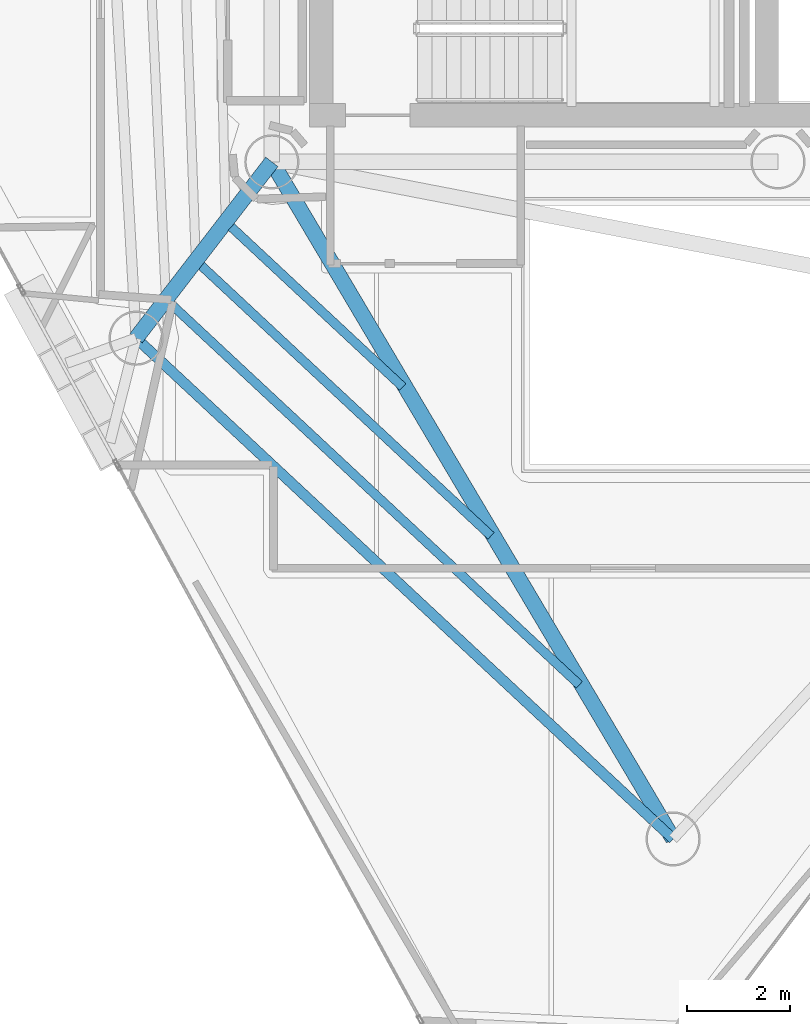
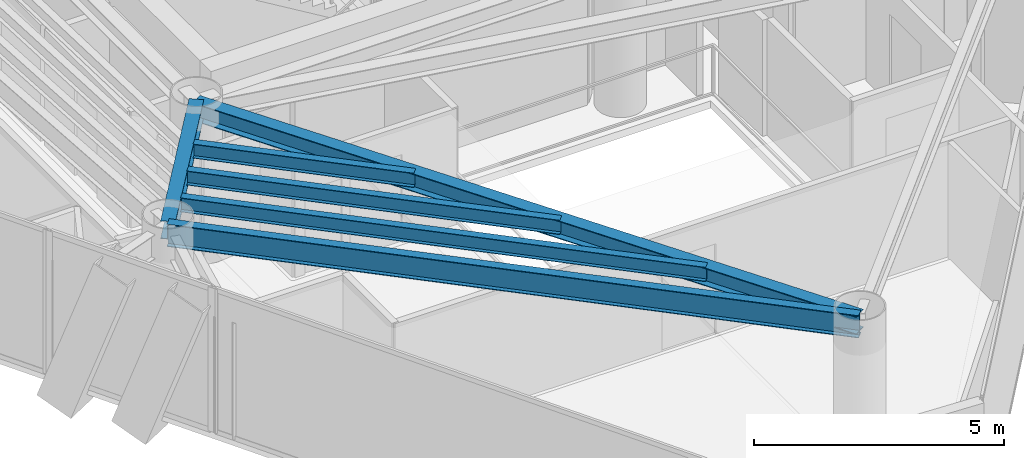
# One storey, part 3 of 19: 6 beams.
"""IFC4 building model written with IfcOpenShell, lengths in metres."""

from ifc_helpers import new_model, si_unit, direction, frame, origin, origin_2d, place, context, subcontext, project, spatial, i_section, extrude, material, material_profile, profile_set, type_object, element, save


model = new_model("IFC4")

# Units and contexts
model_context = context("Model", 3, precision=1e-05, world=origin(), true_north=direction((0.0, 1.0)))
body_context = subcontext(model_context, "Body", "Model", "MODEL_VIEW")
ifc_project = project(units=[si_unit("LENGTHUNIT", "METRE"), si_unit("AREAUNIT", "SQUARE_METRE"), si_unit("VOLUMEUNIT", "CUBIC_METRE"), si_unit("PLANEANGLEUNIT", "RADIAN"), si_unit("MASSUNIT", "GRAM", prefix="KILO")], contexts=[model_context])

# Site, building, storey
site_placement = place(None, origin())
site = spatial("IfcSite", under=ifc_project, at=site_placement, CompositionType="ELEMENT")
building_placement = place(site_placement, origin())
building = spatial("IfcBuilding", under=site, at=building_placement, Name="Qianvela Tower", CompositionType="ELEMENT")
storey_placement = place(building_placement, frame((0.0, 0.0, 268.60009765625)))
storey = spatial("IfcBuildingStorey", under=building, at=storey_placement, Name="L69", CompositionType="ELEMENT", Elevation=268.60009765625)

# Beams
ifc_material_1 = material(Name="Steel Q355B", Category="steel")
ifc_material_profile_1 = material_profile(ifc_material_1, i_section(OverallWidth=0.300048828125, OverallDepth=0.43994140625, WebThickness=0.010986328125, FlangeThickness=0.01806640625, at=origin_2d()), Name="HM440x300x11x18")
ifc_profile_set_1 = profile_set([ifc_material_profile_1], Name="Steel Q355B")
beam_type_1 = type_object("IfcBeamType", Name="BM-HM440-COLL", PredefinedType="BEAM", material=ifc_profile_set_1)
beam_1_placement = place(storey_placement, frame((28.60009765625, 23.85009765625, 3.2978515625), z_axis=(-0.610107831638, -0.792318391667, 0.0), x_axis=(0.792318391667, -0.610107831638, 0.0)))
element("IfcBeam", 1, at=beam_1_placement, inside=storey, type_object=beam_type_1, Name="L69 Radial Primary Floor Girder 4", PredefinedType="BEAM", context=body_context, shape_type="SweptSolid", body=[
    extrude(i_section(OverallWidth=0.300048828125, OverallDepth=0.43994140625, WebThickness=0.010986328125, FlangeThickness=0.01806640625, at=origin_2d()), origin(), (0.0, 0.0, 1.0), 4.3076171875),
])
beam_2_placement = place(storey_placement, frame((28.60009765625, 23.85009765625, 3.2978515625), z_axis=(0.509851140096, -0.860262643001, 0.0), x_axis=(0.860262643001, 0.509851140096, 0.0)))
element("IfcBeam", 2, at=beam_2_placement, inside=storey, type_object=beam_type_1, Name="L69 Radial Primary Floor Girder 5", PredefinedType="BEAM", context=body_context, shape_type="SweptSolid", body=[
    extrude(i_section(OverallWidth=0.300048828125, OverallDepth=0.43994140625, WebThickness=0.010986328125, FlangeThickness=0.01806640625, at=origin_2d()), origin(), (0.0, 0.0, 1.0), 15.2373046875),
])
ifc_material_2 = material(Name="Steel Q355B", Category="steel")
ifc_material_profile_2 = material_profile(ifc_material_2, i_section(OverallWidth=0.175048828125, OverallDepth=0.35009765625, WebThickness=0.007080078125, FlangeThickness=0.010986328125, at=origin_2d()), Name="HN350x175x7x11")
ifc_profile_set_2 = profile_set([ifc_material_profile_2], Name="Steel Q355B")
beam_type_2 = type_object("IfcBeamType", Name="BM-HN350-JOIST", PredefinedType="JOIST", material=ifc_profile_set_2)
beam_3_placement = place(storey_placement, frame((27.813232421875, 22.590087890625, 3.343017578125), z_axis=(0.731376968526, -0.681973408506, 0.0), x_axis=(0.681973408506, 0.731376968526, 0.0)))
element("IfcBeam", 3, at=beam_3_placement, inside=storey, type_object=beam_type_2, Name="L69 Secondary Composite Floor Joist 4.1", PredefinedType="JOIST", context=body_context, shape_type="SweptSolid", body=[
    extrude(i_section(OverallWidth=0.175048828125, OverallDepth=0.35009765625, WebThickness=0.007080078125, FlangeThickness=0.010986328125, at=origin_2d()), origin(), (0.0, 0.0, 1.0), 4.54150390625),
])
beam_4_placement = place(storey_placement, frame((27.235107421875, 21.839111328125, 3.343017578125), z_axis=(0.731379132366, -0.681971087906, 0.0), x_axis=(0.681971087906, 0.731379132366, 0.0)))
element("IfcBeam", 4, at=beam_4_placement, inside=storey, type_object=beam_type_2, Name="L69 Secondary Composite Floor Joist 4.2", PredefinedType="JOIST", context=body_context, shape_type="SweptSolid", body=[
    extrude(i_section(OverallWidth=0.175048828125, OverallDepth=0.35009765625, WebThickness=0.007080078125, FlangeThickness=0.010986328125, at=origin_2d()), origin(), (0.0, 0.0, 1.0), 7.6689453125),
])
beam_5_placement = place(storey_placement, frame((26.656982421875, 21.08837890625, 3.343017578125), z_axis=(0.731358246127, -0.681993486641, 0.0), x_axis=(0.681993486641, 0.731358246127, 0.0)))
element("IfcBeam", 5, at=beam_5_placement, inside=storey, type_object=beam_type_2, Name="L69 Secondary Composite Floor Joist 4.3", PredefinedType="JOIST", context=body_context, shape_type="SweptSolid", body=[
    extrude(i_section(OverallWidth=0.175048828125, OverallDepth=0.35009765625, WebThickness=0.007080078125, FlangeThickness=0.010986328125, at=origin_2d()), origin(), (0.0, 0.0, 1.0), 10.79638671875),
])
ifc_material_3 = material(Name="Steel Q355B", Category="steel")
ifc_material_profile_3 = material_profile(ifc_material_3, i_section(OverallWidth=0.199951171875, OverallDepth=0.550048828125, WebThickness=0.010009765625, FlangeThickness=0.01611328125, at=origin_2d()), Name="HN550x200x10x16")
ifc_profile_set_3 = profile_set([ifc_material_profile_3], Name="Steel Q355B")
beam_type_3 = type_object("IfcBeamType", Name="BM-HN550-GIRD", PredefinedType="BEAM", material=ifc_profile_set_3)
beam_6_placement = place(storey_placement, frame((25.971923828125, 20.43701171875, 3.242919921875), z_axis=(0.731363016694, -0.681988370731, 0.0), x_axis=(0.681988370731, 0.731363016694, 0.0)))
element("IfcBeam", 6, at=beam_6_placement, inside=storey, type_object=beam_type_3, Name="L69 Perimeter Ring Spandrel Girder 4", PredefinedType="BEAM", context=body_context, shape_type="SweptSolid", body=[
    extrude(i_section(OverallWidth=0.199951171875, OverallDepth=0.550048828125, WebThickness=0.010009765625, FlangeThickness=0.01611328125, at=origin_2d()), origin(), (0.0, 0.0, 1.0), 14.2158203125),
])

save(model, "model.ifc")
